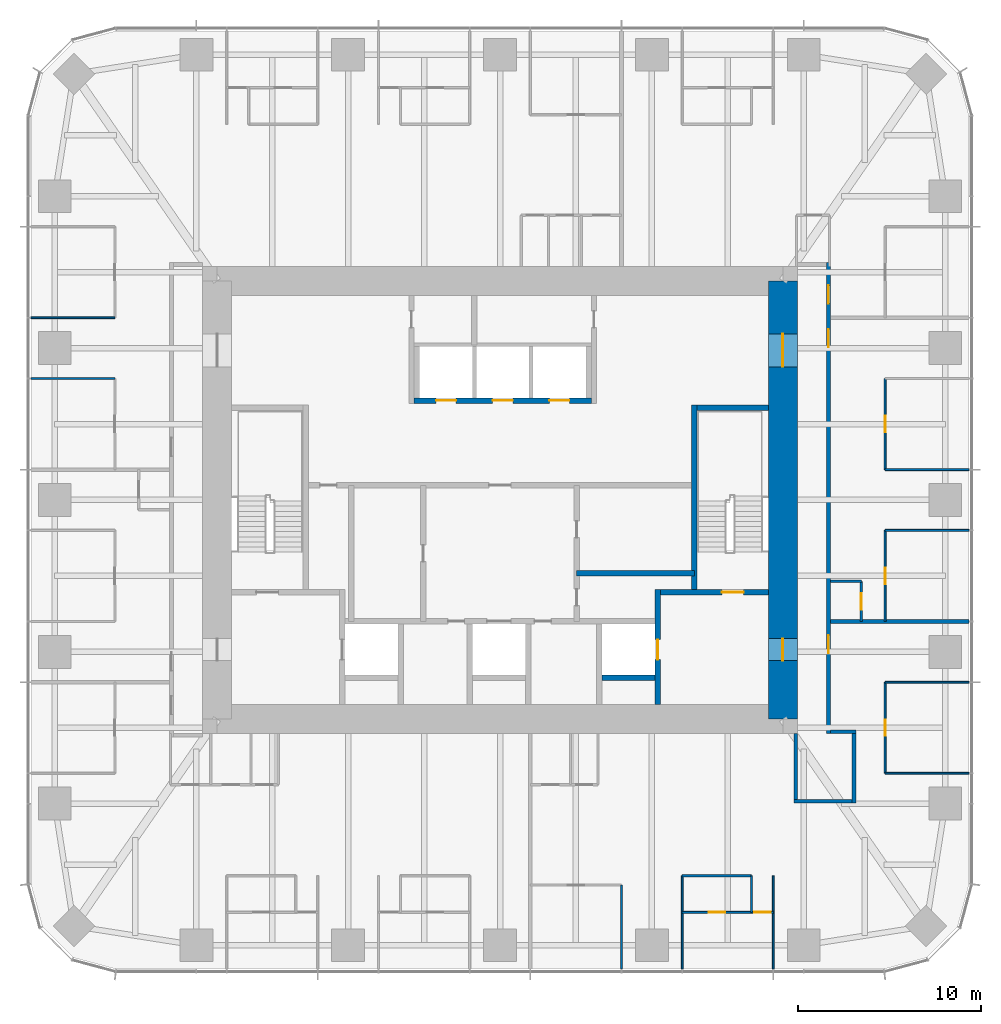
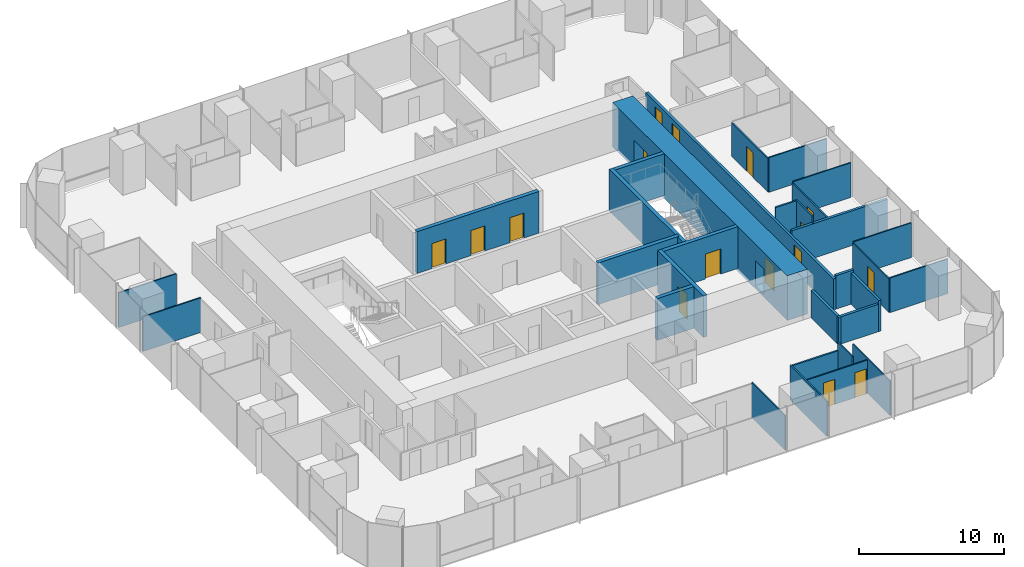
# One storey, part 10 of 13: 31 walls, 16 doors, 16 openings.
"""IFC4 building model written with IfcOpenShell, lengths in metres."""

from ifc_helpers import new_model, si_unit, direction, frame, frame_2d, origin, place, context, subcontext, project, spatial, rectangle, extrude, material, layer, layer_set, type_object, element, fill, save


model = new_model("IFC4")

# Units and contexts
model_context = context("Model", 3, precision=1e-05, world=origin(), true_north=direction((0.0, 1.0)))
body_context = subcontext(model_context, "Body", "Model", "MODEL_VIEW")
ifc_project = project(units=[si_unit("LENGTHUNIT", "METRE"), si_unit("AREAUNIT", "SQUARE_METRE"), si_unit("VOLUMEUNIT", "CUBIC_METRE"), si_unit("PLANEANGLEUNIT", "RADIAN"), si_unit("MASSUNIT", "GRAM", prefix="KILO")], contexts=[model_context])

# Site, building, storey
site_placement = place(None, origin())
site = spatial("IfcSite", under=ifc_project, at=site_placement, CompositionType="ELEMENT")
building_placement = place(site_placement, origin())
building = spatial("IfcBuilding", under=site, at=building_placement, Name="Khuree Lantern Residences", CompositionType="ELEMENT")
storey_placement = place(building_placement, frame((0.0, 0.0, 252.0)))
storey = spatial("IfcBuildingStorey", under=building, at=storey_placement, Name="L63", CompositionType="ELEMENT", Elevation=252.0)

# Wall, opening, door
ifc_material_1 = material(Name="Moisture-resistant gypsum board on steel studs", Category="steel")
ifc_layer_1 = layer(ifc_material_1, 0.125)
ifc_layer_set_1 = layer_set([ifc_layer_1], Name="BATHROOM WALL BTW125")
wall_type_1 = type_object("IfcWallType", Name="BATHROOM WALL BTW125", PredefinedType="PARTITIONING", material=ifc_layer_set_1)
wall_1_placement = place(storey_placement, frame((19.800048828125, -6.656005859375, 0.0), z_axis=(0.0, 0.0, 1.0), x_axis=(0.0, 1.0, 0.0)))
wall_1 = element("IfcWall", 1, at=wall_1_placement, inside=storey, type_object=wall_type_1, Name="L63 BATHROOM WALL 01", PredefinedType="PARTITIONING", context=body_context, shape_type="SweptSolid", body=[
    extrude(rectangle(XDim=2.199951171875, YDim=0.125, at=frame_2d((1.10009765625, 0.0))), origin(), (0.0, 0.0, 1.0), 3.5),
])
opening_1_placement = place(wall_1_placement, frame((0.64990234375, 0.0, 0.0)))
opening_1 = element("IfcOpeningElement", 2, at=opening_1_placement, cuts=wall_1, Name="Opening 63-024", PredefinedType="OPENING", context=body_context, shape_type="SweptSolid", body=[
    extrude(rectangle(XDim=0.89990234375, YDim=2.10009765625, at=frame_2d((0.449951171875, 1.050048828125))), frame((0.0, 0.072509765625, 0.0), z_axis=(0.0, -1.0, 0.0), x_axis=(1.0, 0.0, 0.0)), (0.0, 0.0, 1.0), 0.14501953125),
])
ifc_material_2 = material(Name="Timber door leaf in hardwood frame", Category="wood")
door_type_1 = type_object("IfcDoorType", Name="BATHROOM DOOR 900X2100", OperationType="SINGLE_SWING_LEFT", PredefinedType="DOOR", material=ifc_material_2)
door_1_placement = place(opening_1_placement, origin())
door_1 = element("IfcDoor", 3, at=door_1_placement, inside=storey, type_object=door_type_1, Name="Bathroom door 63-024", OperationType="SINGLE_SWING_LEFT", OverallHeight=2.10009765625, OverallWidth=0.89990234375, PredefinedType="DOOR", context=body_context, shape_type="SweptSolid", body=[
    extrude(rectangle(XDim=0.89990234375, YDim=2.10009765625, at=frame_2d((0.449951171875, 1.050048828125))), frame((0.0, 0.02490234375, 0.0), z_axis=(0.0, -1.0, 0.0), x_axis=(1.0, 0.0, 0.0)), (0.0, 0.0, 1.0), 0.050048828125),
])
fill(opening_1, door_1)

# Walls
wall_2_placement = place(storey_placement, frame((18.10009765625, -4.4560546875, 0.0), z_axis=(0.0, 0.0, 1.0), x_axis=(1.0, 0.0, 0.0)))
element("IfcWall", 4, at=wall_2_placement, inside=storey, type_object=wall_type_1, Name="L63 BATHROOM WALL 01", PredefinedType="PARTITIONING", context=body_context, shape_type="SweptSolid", body=[
    extrude(rectangle(XDim=1.699951171875, YDim=0.125, at=frame_2d((0.85009765625, 0.0))), origin(), (0.0, 0.0, 1.0), 3.5),
])
wall_3_placement = place(storey_placement, frame((9.98388671875, -20.594970703125, 0.0), z_axis=(0.0, 0.0, 1.0), x_axis=(1.0, 0.0, 0.0)))
element("IfcWall", 5, at=wall_3_placement, inside=storey, type_object=wall_type_1, Name="L63 BATHROOM WALL 06", PredefinedType="PARTITIONING", context=body_context, shape_type="SweptSolid", body=[
    extrude(rectangle(XDim=3.7919921875, YDim=0.125, at=frame_2d((1.89599609375, 0.0))), origin(), (0.0, 0.0, 1.0), 2.81005859375),
])

# Wall, opening, door
ifc_material_3 = material(Name="Dense concrete blockwork", Category="masonry")
ifc_layer_2 = layer(ifc_material_3, 0.300048828125)
ifc_layer_set_2 = layer_set([ifc_layer_2], Name="CORE PARTITION WALL CPW300 EI 120")
wall_type_2 = type_object("IfcWallType", Name="CORE PARTITION WALL CPW300 EI 120", PredefinedType="PARTITIONING", material=ifc_layer_set_2)
wall_4_placement = place(storey_placement, frame((8.64990234375, -11.199951171875, 0.0), z_axis=(0.0, 0.0, 1.0), x_axis=(0.0, 1.0, 0.0)))
wall_4 = element("IfcWall", 6, at=wall_4_placement, inside=storey, type_object=wall_type_2, Name="L63 CORE WALL FL2E", PredefinedType="PARTITIONING", context=body_context, shape_type="SweptSolid", body=[
    extrude(rectangle(XDim=6.300048828125, YDim=0.300048828125, at=frame_2d((3.14990234375, 0.0))), origin(), (0.0, 0.0, 1.0), 3.5),
])
opening_2_placement = place(wall_4_placement, frame((2.449951171875, 0.0, 0.0)))
opening_2 = element("IfcOpeningElement", 7, at=opening_2_placement, cuts=wall_4, Name="Opening 63-008", PredefinedType="OPENING", context=body_context, shape_type="SweptSolid", body=[
    extrude(rectangle(XDim=1.10009765625, YDim=2.10009765625, at=frame_2d((0.550048828125, 1.050048828125))), frame((0.0, 0.16015625, 0.0), z_axis=(0.0, -1.0, 0.0), x_axis=(1.0, 0.0, 0.0)), (0.0, 0.0, 1.0), 0.320068359375),
])
ifc_material_4 = material(Name="Stainless steel lift landing door", Category="steel")
door_type_2 = type_object("IfcDoorType", Name="LIFT LANDING DOOR 1100X2100 E 120", OperationType="DOUBLE_DOOR_SLIDING", PredefinedType="DOOR", material=ifc_material_4)
door_2_placement = place(opening_2_placement, origin())
door_2 = element("IfcDoor", 8, at=door_2_placement, inside=storey, type_object=door_type_2, Name="Landing door FL2 63-008", OperationType="DOUBLE_DOOR_SLIDING", OverallHeight=2.10009765625, OverallWidth=1.10009765625, PredefinedType="DOOR", context=body_context, shape_type="SweptSolid", body=[
    extrude(rectangle(XDim=1.10009765625, YDim=2.10009765625, at=frame_2d((0.550048828125, 1.050048828125))), frame((0.0, 0.02490234375, 0.0), z_axis=(0.0, -1.0, 0.0), x_axis=(1.0, 0.0, 0.0)), (0.0, 0.0, 1.0), 0.050048828125),
])
fill(opening_2, door_2)

# Wall
wall_5_placement = place(storey_placement, frame((5.60009765625, -9.75, 0.0), z_axis=(0.0, 0.0, 1.0), x_axis=(1.0, 0.0, 0.0)))
element("IfcWall", 9, at=wall_5_placement, inside=storey, type_object=wall_type_2, Name="L63 CORE WALL FL2S", PredefinedType="PARTITIONING", context=body_context, shape_type="SweptSolid", body=[
    extrude(rectangle(XDim=2.89990234375, YDim=0.300048828125, at=frame_2d((1.449951171875, 0.0))), origin(), (0.0, 0.0, 1.0), 3.5),
])

# Wall, openings, doors
wall_6_placement = place(storey_placement, frame((-4.699951171875, 5.449951171875, 0.0), z_axis=(0.0, 0.0, 1.0), x_axis=(1.0, 0.0, 0.0)))
wall_6 = element("IfcWall", 10, at=wall_6_placement, inside=storey, type_object=wall_type_2, Name="L63 CORE WALL PHS", PredefinedType="PARTITIONING", context=body_context, shape_type="SweptSolid", body=[
    extrude(rectangle(XDim=9.699951171875, YDim=0.300048828125, at=frame_2d((4.85009765625, 0.0))), origin(), (0.0, 0.0, 1.0), 3.5),
])
opening_3_placement = place(wall_6_placement, frame((1.199951171875, 0.0, 0.0)))
opening_3 = element("IfcOpeningElement", 11, at=opening_3_placement, cuts=wall_6, Name="Opening 63-009", PredefinedType="OPENING", context=body_context, shape_type="SweptSolid", body=[
    extrude(rectangle(XDim=1.10009765625, YDim=2.10009765625, at=frame_2d((0.550048828125, 1.050048828125))), frame((0.0, 0.16015625, 0.0), z_axis=(0.0, -1.0, 0.0), x_axis=(1.0, 0.0, 0.0)), (0.0, 0.0, 1.0), 0.320068359375),
])
opening_4_placement = place(wall_6_placement, frame((4.300048828125, 0.0, 0.0)))
opening_4 = element("IfcOpeningElement", 12, at=opening_4_placement, cuts=wall_6, Name="Opening 63-010", PredefinedType="OPENING", context=body_context, shape_type="SweptSolid", body=[
    extrude(rectangle(XDim=1.10009765625, YDim=2.10009765625, at=frame_2d((0.550048828125, 1.050048828125))), frame((0.0, 0.16015625, 0.0), z_axis=(0.0, -1.0, 0.0), x_axis=(1.0, 0.0, 0.0)), (0.0, 0.0, 1.0), 0.320068359375),
])
opening_5_placement = place(wall_6_placement, frame((7.39990234375, 0.0, 0.0)))
opening_5 = element("IfcOpeningElement", 13, at=opening_5_placement, cuts=wall_6, Name="Opening 63-011", PredefinedType="OPENING", context=body_context, shape_type="SweptSolid", body=[
    extrude(rectangle(XDim=1.10009765625, YDim=2.10009765625, at=frame_2d((0.550048828125, 1.050048828125))), frame((0.0, 0.16015625, 0.0), z_axis=(0.0, -1.0, 0.0), x_axis=(1.0, 0.0, 0.0)), (0.0, 0.0, 1.0), 0.320068359375),
])
door_type_3 = type_object("IfcDoorType", Name="LIFT LANDING DOOR 1100X2100 E 60", OperationType="DOUBLE_DOOR_SLIDING", PredefinedType="DOOR", material=ifc_material_4)
door_3_placement = place(opening_3_placement, origin())
door_3 = element("IfcDoor", 14, at=door_3_placement, inside=storey, type_object=door_type_3, Name="Landing door PH1 63-009", OperationType="DOUBLE_DOOR_SLIDING", OverallHeight=2.10009765625, OverallWidth=1.10009765625, PredefinedType="DOOR", context=body_context, shape_type="SweptSolid", body=[
    extrude(rectangle(XDim=1.10009765625, YDim=2.10009765625, at=frame_2d((0.550048828125, 1.050048828125))), frame((0.0, 0.02490234375, 0.0), z_axis=(0.0, -1.0, 0.0), x_axis=(1.0, 0.0, 0.0)), (0.0, 0.0, 1.0), 0.050048828125),
])
fill(opening_3, door_3)
door_4_placement = place(opening_4_placement, origin())
door_4 = element("IfcDoor", 15, at=door_4_placement, inside=storey, type_object=door_type_3, Name="Landing door PH2 63-010", OperationType="DOUBLE_DOOR_SLIDING", OverallHeight=2.10009765625, OverallWidth=1.10009765625, PredefinedType="DOOR", context=body_context, shape_type="SweptSolid", body=[
    extrude(rectangle(XDim=1.10009765625, YDim=2.10009765625, at=frame_2d((0.550048828125, 1.050048828125))), frame((0.0, 0.02490234375, 0.0), z_axis=(0.0, -1.0, 0.0), x_axis=(1.0, 0.0, 0.0)), (0.0, 0.0, 1.0), 0.050048828125),
])
fill(opening_4, door_4)
door_5_placement = place(opening_5_placement, origin())
door_5 = element("IfcDoor", 16, at=door_5_placement, inside=storey, type_object=door_type_3, Name="Landing door PH3 63-011", OperationType="DOUBLE_DOOR_SLIDING", OverallHeight=2.10009765625, OverallWidth=1.10009765625, PredefinedType="DOOR", context=body_context, shape_type="SweptSolid", body=[
    extrude(rectangle(XDim=1.10009765625, YDim=2.10009765625, at=frame_2d((0.550048828125, 1.050048828125))), frame((0.0, 0.02490234375, 0.0), z_axis=(0.0, -1.0, 0.0), x_axis=(1.0, 0.0, 0.0)), (0.0, 0.0, 1.0), 0.050048828125),
])
fill(opening_5, door_5)

# Walls
wall_7_placement = place(storey_placement, frame((10.64990234375, -4.01806640625, 0.0), z_axis=(0.0, 0.0, 1.0), x_axis=(-1.0, 0.0, 0.0)))
element("IfcWall", 17, at=wall_7_placement, inside=storey, type_object=wall_type_2, Name="L63 CORE WALL EX", PredefinedType="PARTITIONING", context=body_context, shape_type="SweptSolid", body=[
    extrude(rectangle(XDim=6.449951171875, YDim=0.300048828125, at=frame_2d((3.22509765625, 0.0))), origin(), (0.0, 0.0, 1.0), 3.5),
])
ifc_material_5 = material(Name="Gypsum board on steel studs", Category="steel")
ifc_layer_3 = layer(ifc_material_5, 0.199951171875)
ifc_layer_set_3 = layer_set([ifc_layer_3], Name="CORRIDOR WALL CRW200 EI 60")
wall_type_3 = type_object("IfcWallType", Name="CORRIDOR WALL CRW200 EI 60", PredefinedType="PARTITIONING", material=ifc_layer_set_3)
wall_8_placement = place(storey_placement, frame((18.10009765625, -12.699951171875, 0.0), z_axis=(0.0, 0.0, 1.0), x_axis=(1.0, 0.0, 0.0)))
element("IfcWall", 18, at=wall_8_placement, inside=storey, type_object=wall_type_3, Name="L63 RESIDENTS LOUNGE WALL", PredefinedType="PARTITIONING", context=body_context, shape_type="SweptSolid", body=[
    extrude(rectangle(XDim=1.39990234375, YDim=0.199951171875, at=frame_2d((0.699951171875, 0.0))), origin(), (0.0, 0.0, 1.0), 2.81005859375),
])
wall_9_placement = place(storey_placement, frame((19.39990234375, -12.60009765625, 0.0), z_axis=(0.0, 0.0, 1.0), x_axis=(0.0, -1.0, 0.0)))
element("IfcWall", 19, at=wall_9_placement, inside=storey, type_object=wall_type_3, Name="L63 RESIDENTS LOUNGE WALL", PredefinedType="PARTITIONING", context=body_context, shape_type="SweptSolid", body=[
    extrude(rectangle(XDim=4.0, YDim=0.199951171875, at=frame_2d((2.0, 0.0))), origin(), (0.0, 0.0, 1.0), 2.60009765625),
])
wall_10_placement = place(storey_placement, frame((19.300048828125, -16.5, 0.0), z_axis=(0.0, 0.0, 1.0), x_axis=(-1.0, 0.0, 0.0)))
element("IfcWall", 20, at=wall_10_placement, inside=storey, type_object=wall_type_3, Name="L63 RESIDENTS LOUNGE WALL", PredefinedType="PARTITIONING", context=body_context, shape_type="SweptSolid", body=[
    extrude(rectangle(XDim=3.199951171875, YDim=0.199951171875, at=frame_2d((1.60009765625, 0.0))), origin(), (0.0, 0.0, 1.0), 2.300048828125),
])
wall_11_placement = place(storey_placement, frame((16.199951171875, -16.60009765625, 0.0), z_axis=(0.0, 0.0, 1.0), x_axis=(0.0, 1.0, 0.0)))
element("IfcWall", 21, at=wall_11_placement, inside=storey, type_object=wall_type_3, Name="L63 RESIDENTS LOUNGE WALL", PredefinedType="PARTITIONING", context=body_context, shape_type="SweptSolid", body=[
    extrude(rectangle(XDim=3.800048828125, YDim=0.199951171875, at=frame_2d((1.89990234375, 0.0))), origin(), (0.0, 0.0, 1.0), 2.300048828125),
])

# Wall, openings, doors
wall_12_placement = place(storey_placement, frame((18.0, -12.800048828125, 0.0), z_axis=(0.0, 0.0, 1.0), x_axis=(0.0, 1.0, 0.0)))
wall_12 = element("IfcWall", 22, at=wall_12_placement, inside=storey, type_object=wall_type_3, Name="L63 CORRIDOR WALL EAST 1", PredefinedType="PARTITIONING", context=body_context, shape_type="SweptSolid", body=[
    extrude(rectangle(XDim=25.800048828125, YDim=0.199951171875, at=frame_2d((12.89990234375, 0.0))), origin(), (0.0, 0.0, 1.0), 2.60009765625),
])
opening_6_placement = place(wall_12_placement, frame((21.1640625, 0.0, 0.0)))
opening_6 = element("IfcOpeningElement", 23, at=opening_6_placement, cuts=wall_12, Name="Opening 63-025", PredefinedType="OPENING", context=body_context, shape_type="SweptSolid", body=[
    extrude(rectangle(XDim=1.0, YDim=2.199951171875, at=frame_2d((0.5, 1.10009765625))), frame((0.0, 0.10986328125, 0.0), z_axis=(0.0, -1.0, 0.0), x_axis=(1.0, 0.0, 0.0)), (0.0, 0.0, 1.0), 0.219970703125),
])
opening_7_placement = place(wall_12_placement, frame((23.553955078125, 0.0, 0.0)))
opening_7 = element("IfcOpeningElement", 24, at=opening_7_placement, cuts=wall_12, Name="Opening 63-030", PredefinedType="OPENING", context=body_context, shape_type="SweptSolid", body=[
    extrude(rectangle(XDim=1.0, YDim=2.199951171875, at=frame_2d((0.5, 1.10009765625))), frame((0.0, 0.10986328125, 0.0), z_axis=(0.0, -1.0, 0.0), x_axis=(1.0, 0.0, 0.0)), (0.0, 0.0, 1.0), 0.219970703125),
])
opening_8_placement = place(wall_12_placement, frame((4.39990234375, 0.0, 0.0)))
opening_8 = element("IfcOpeningElement", 25, at=opening_8_placement, cuts=wall_12, Name="Opening 63-060", PredefinedType="OPENING", context=body_context, shape_type="SweptSolid", body=[
    extrude(rectangle(XDim=1.0, YDim=2.199951171875, at=frame_2d((0.5, 1.10009765625))), frame((0.0, 0.10986328125, 0.0), z_axis=(0.0, -1.0, 0.0), x_axis=(1.0, 0.0, 0.0)), (0.0, 0.0, 1.0), 0.219970703125),
])
door_type_4 = type_object("IfcDoorType", Name="APARTMENT ENTRANCE DOOR 1000X2200 EI 30S", OperationType="SINGLE_SWING_LEFT", PredefinedType="DOOR", material=ifc_material_2)
door_6_placement = place(opening_8_placement, origin())
door_6 = element("IfcDoor", 26, at=door_6_placement, inside=storey, type_object=door_type_4, Name="Apartment 06 entrance door 63-060", OperationType="SINGLE_SWING_LEFT", OverallHeight=2.199951171875, OverallWidth=1.0, PredefinedType="DOOR", context=body_context, shape_type="SweptSolid", body=[
    extrude(rectangle(XDim=1.0, YDim=2.199951171875, at=frame_2d((0.5, 1.10009765625))), frame((0.0, 0.02490234375, 0.0), z_axis=(0.0, -1.0, 0.0), x_axis=(1.0, 0.0, 0.0)), (0.0, 0.0, 1.0), 0.050048828125),
])
fill(opening_8, door_6)
door_type_5 = type_object("IfcDoorType", Name="APARTMENT ENTRANCE DOOR 1000X2200 EI 30S RIGHT HAND", OperationType="SINGLE_SWING_RIGHT", PredefinedType="DOOR", material=ifc_material_2)
door_7_placement = place(opening_6_placement, origin())
door_7 = element("IfcDoor", 27, at=door_7_placement, inside=storey, type_object=door_type_5, Name="Apartment 01 entrance door 63-025", OperationType="SINGLE_SWING_RIGHT", OverallHeight=2.199951171875, OverallWidth=1.0, PredefinedType="DOOR", context=body_context, shape_type="SweptSolid", body=[
    extrude(rectangle(XDim=1.0, YDim=2.199951171875, at=frame_2d((0.5, 1.10009765625))), frame((0.0, 0.02490234375, 0.0), z_axis=(0.0, -1.0, 0.0), x_axis=(1.0, 0.0, 0.0)), (0.0, 0.0, 1.0), 0.050048828125),
])
fill(opening_6, door_7)
door_8_placement = place(opening_7_placement, origin())
door_8 = element("IfcDoor", 28, at=door_8_placement, inside=storey, type_object=door_type_5, Name="Apartment 02 entrance door 63-030", OperationType="SINGLE_SWING_RIGHT", OverallHeight=2.199951171875, OverallWidth=1.0, PredefinedType="DOOR", context=body_context, shape_type="SweptSolid", body=[
    extrude(rectangle(XDim=1.0, YDim=2.199951171875, at=frame_2d((0.5, 1.10009765625))), frame((0.0, 0.02490234375, 0.0), z_axis=(0.0, -1.0, 0.0), x_axis=(1.0, 0.0, 0.0)), (0.0, 0.0, 1.0), 0.050048828125),
])
fill(opening_7, door_8)

ifc_material_6 = material(Name="Concrete C50/60", Category="concrete")
ifc_layer_4 = layer(ifc_material_6, 1.60009765625)
ifc_layer_set_4 = layer_set([ifc_layer_4], Name="CW1600-C50 CORE WALL C50 1600")
wall_type_4 = type_object("IfcWallType", Name="CW1600-C50 CORE WALL C50 1600", PredefinedType="SHEAR", material=ifc_layer_set_4)
wall_13_placement = place(storey_placement, frame((15.5, -12.0, -0.25), z_axis=(0.0, 0.0, 1.0), x_axis=(0.0, 1.0, 0.0)))
wall_13 = element("IfcWall", 29, at=wall_13_placement, inside=storey, type_object=wall_type_4, Name="Core wall E", PredefinedType="SHEAR", context=body_context, shape_type="SweptSolid", body=[
    extrude(rectangle(XDim=24.0, YDim=1.60009765625, at=frame_2d((12.0, 0.0))), origin(), (0.0, 0.0, 1.0), 3.75),
])
opening_9_placement = place(wall_13_placement, frame((3.199951171875, 0.0, 0.25)))
opening_9 = element("IfcOpeningElement", 30, at=opening_9_placement, cuts=wall_13, Name="Opening 63-005", PredefinedType="OPENING", context=body_context, shape_type="SweptSolid", body=[
    extrude(rectangle(XDim=1.199951171875, YDim=2.10009765625, at=frame_2d((0.60009765625, 1.050048828125))), frame((0.0, 0.81005859375, 0.0), z_axis=(0.0, -1.0, 0.0), x_axis=(1.0, 0.0, 0.0)), (0.0, 0.0, 1.0), 1.6201171875),
])
opening_10_placement = place(wall_13_placement, frame((19.300048828125, 0.0, 0.25)))
opening_10 = element("IfcOpeningElement", 31, at=opening_10_placement, cuts=wall_13, Name="Opening 63-006", PredefinedType="OPENING", context=body_context, shape_type="SweptSolid", body=[
    extrude(rectangle(XDim=1.800048828125, YDim=2.10009765625, at=frame_2d((0.89990234375, 1.050048828125))), frame((0.0, 0.81005859375, 0.0), z_axis=(0.0, -1.0, 0.0), x_axis=(1.0, 0.0, 0.0)), (0.0, 0.0, 1.0), 1.6201171875),
])
ifc_material_7 = material(Name="Steel door leaf in steel frame", Category="steel")
door_type_6 = type_object("IfcDoorType", Name="LOBBY DOOR 1200X2100 EI 120", OperationType="SINGLE_SWING_LEFT", PredefinedType="DOOR", material=ifc_material_7)
door_9_placement = place(opening_9_placement, origin())
door_9 = element("IfcDoor", 32, at=door_9_placement, inside=storey, type_object=door_type_6, Name="Firefighting lobby door 63-005", OperationType="SINGLE_SWING_LEFT", OverallHeight=2.10009765625, OverallWidth=1.199951171875, PredefinedType="DOOR", context=body_context, shape_type="SweptSolid", body=[
    extrude(rectangle(XDim=1.199951171875, YDim=2.10009765625, at=frame_2d((0.60009765625, 1.050048828125))), frame((0.0, 0.02490234375, 0.0), z_axis=(0.0, -1.0, 0.0), x_axis=(1.0, 0.0, 0.0)), (0.0, 0.0, 1.0), 0.050048828125),
])
fill(opening_9, door_9)
door_type_7 = type_object("IfcDoorType", Name="LOBBY DOUBLE DOOR 1800X2100 EI 60", OperationType="DOUBLE_DOOR_SINGLE_SWING", PredefinedType="DOOR", material=ifc_material_7)
door_10_placement = place(opening_10_placement, origin())
door_10 = element("IfcDoor", 33, at=door_10_placement, inside=storey, type_object=door_type_7, Name="Lift lobby door 63-006", OperationType="DOUBLE_DOOR_SINGLE_SWING", OverallHeight=2.10009765625, OverallWidth=1.800048828125, PredefinedType="DOOR", context=body_context, shape_type="SweptSolid", body=[
    extrude(rectangle(XDim=1.800048828125, YDim=2.10009765625, at=frame_2d((0.89990234375, 1.050048828125))), frame((0.0, 0.02490234375, 0.0), z_axis=(0.0, -1.0, 0.0), x_axis=(1.0, 0.0, 0.0)), (0.0, 0.0, 1.0), 0.050048828125),
])
fill(opening_10, door_10)

# Walls
ifc_layer_5 = layer(ifc_material_5, 0.199951171875)
ifc_layer_set_5 = layer_set([ifc_layer_5], Name="DEMISING WALL DMW200 EI 90")
wall_type_5 = type_object("IfcWallType", Name="DEMISING WALL DMW200 EI 90", PredefinedType="PARTITIONING", material=ifc_layer_set_5)
wall_14_placement = place(storey_placement, frame((18.10009765625, -6.656005859375, 0.0), z_axis=(0.0, 0.0, 1.0), x_axis=(1.0, 0.0, 0.0)))
element("IfcWall", 34, at=wall_14_placement, inside=storey, type_object=wall_type_5, Name="L63 DEMISING WALL 01", PredefinedType="PARTITIONING", context=body_context, shape_type="SweptSolid", body=[
    extrude(rectangle(XDim=7.599853515625, YDim=0.199951171875, at=frame_2d((3.7998046875, 0.0))), origin(), (0.0, 0.0, 1.0), 2.909912109375),
])
ifc_layer_6 = layer(ifc_material_5, 0.10009765625)
ifc_layer_set_6 = layer_set([ifc_layer_6], Name="PARTITION PT100")
wall_type_6 = type_object("IfcWallType", Name="PARTITION PT100", PredefinedType="PARTITIONING", material=ifc_layer_set_6)
for number, where, z_axis, x_axis, name in (
    (35, (21.10009765625, -1.6640625, 0.0), (0.0, 0.0, 1.0), (1.0, 0.0, 0.0), "L63 PARTITION 01"),
    (36, (21.10009765625, 1.6640625, 0.0), (0.0, 0.0, 1.0), (1.0, 0.0, 0.0), "L63 PARTITION 01"),
    (37, (-21.10009765625, 9.98388671875, 0.0), (0.0, 0.0, 1.0), (-1.0, 0.0, 0.0), "L63 PARTITION 03"),
    (38, (-21.10009765625, 6.656005859375, 0.0), (0.0, 0.0, 1.0), (-1.0, 0.0, 0.0), "L63 PARTITION 03"),
    (39, (6.656005859375, -21.10009765625, 0.0), (0.0, 0.0, 1.0), (0.0, -1.0, 0.0), "L63 PARTITION 06"),
):
    element("IfcWall", number, at=place(storey_placement, frame(where, z_axis=z_axis, x_axis=x_axis)), inside=storey, type_object=wall_type_6, Name=name, PredefinedType="PARTITIONING", context=body_context, shape_type="SweptSolid", body=[
        extrude(rectangle(XDim=4.599853515625, YDim=0.10009765625, at=frame_2d((2.2998046875, 0.0))), origin(), (0.0, 0.0, 1.0), 2.909912109375),
    ])
for number, where, z_axis, x_axis, name in (
    (40, (9.98388671875, -20.594970703125, 0.0), (0.0, 0.0, 1.0), (0.0, -1.0, 0.0), "L63 PARTITION 06"),
    (41, (14.97607421875, -20.594970703125, 0.0), (0.0, 0.0, 1.0), (0.0, -1.0, 0.0), "L63 PARTITION 06"),
):
    element("IfcWall", number, at=place(storey_placement, frame(where, z_axis=z_axis, x_axis=x_axis)), inside=storey, type_object=wall_type_6, Name=name, PredefinedType="PARTITIONING", context=body_context, shape_type="SweptSolid", body=[
        extrude(rectangle(XDim=5.10498046875, YDim=0.10009765625, at=frame_2d((2.552490234375, 0.0))), origin(), (0.0, 0.0, 1.0), 2.909912109375),
    ])
for number, where, z_axis, x_axis, name in (
    (42, (21.10009765625, -14.97607421875, 0.0), (0.0, 0.0, 1.0), (1.0, 0.0, 0.0), "L63 PARTITION 06"),
    (43, (21.10009765625, -9.98388671875, 0.0), (0.0, 0.0, 1.0), (1.0, 0.0, 0.0), "L63 PARTITION 06"),
):
    element("IfcWall", number, at=place(storey_placement, frame(where, z_axis=z_axis, x_axis=x_axis)), inside=storey, type_object=wall_type_6, Name=name, PredefinedType="PARTITIONING", context=body_context, shape_type="SweptSolid", body=[
        extrude(rectangle(XDim=4.599853515625, YDim=0.10009765625, at=frame_2d((2.2998046875, 0.0))), origin(), (0.0, 0.0, 1.0), 2.909912109375),
    ])

# Wall, opening, door
wall_15_placement = place(storey_placement, frame((21.10009765625, -6.656005859375, 0.0), z_axis=(0.0, 0.0, 1.0), x_axis=(0.0, 1.0, 0.0)))
wall_15 = element("IfcWall", 44, at=wall_15_placement, inside=storey, type_object=wall_type_6, Name="L63 PARTITION 01", PredefinedType="PARTITIONING", context=body_context, shape_type="SweptSolid", body=[
    extrude(rectangle(XDim=4.991943359375, YDim=0.10009765625, at=frame_2d((2.49609375, 0.0))), origin(), (0.0, 0.0, 1.0), 2.81005859375),
])
opening_11_placement = place(wall_15_placement, frame((2.0458984375, 0.0, 0.0)))
opening_11 = element("IfcOpeningElement", 45, at=opening_11_placement, cuts=wall_15, Name="Opening 63-022", PredefinedType="OPENING", context=body_context, shape_type="SweptSolid", body=[
    extrude(rectangle(XDim=0.89990234375, YDim=2.10009765625, at=frame_2d((0.449951171875, 1.050048828125))), frame((0.0, 0.06005859375, 0.0), z_axis=(0.0, -1.0, 0.0), x_axis=(1.0, 0.0, 0.0)), (0.0, 0.0, 1.0), 0.1201171875),
])
door_type_8 = type_object("IfcDoorType", Name="BEDROOM DOOR 900X2100", OperationType="SINGLE_SWING_LEFT", PredefinedType="DOOR", material=ifc_material_2)
door_11_placement = place(opening_11_placement, origin())
door_11 = element("IfcDoor", 46, at=door_11_placement, inside=storey, type_object=door_type_8, Name="Bedroom door 63-022", OperationType="SINGLE_SWING_LEFT", OverallHeight=2.10009765625, OverallWidth=0.89990234375, PredefinedType="DOOR", context=body_context, shape_type="SweptSolid", body=[
    extrude(rectangle(XDim=0.89990234375, YDim=2.10009765625, at=frame_2d((0.449951171875, 1.050048828125))), frame((0.0, 0.02490234375, 0.0), z_axis=(0.0, -1.0, 0.0), x_axis=(1.0, 0.0, 0.0)), (0.0, 0.0, 1.0), 0.050048828125),
])
fill(opening_11, door_11)

wall_16_placement = place(storey_placement, frame((21.10009765625, 1.6640625, 0.0), z_axis=(0.0, 0.0, 1.0), x_axis=(0.0, 1.0, 0.0)))
wall_16 = element("IfcWall", 47, at=wall_16_placement, inside=storey, type_object=wall_type_6, Name="L63 PARTITION 01", PredefinedType="PARTITIONING", context=body_context, shape_type="SweptSolid", body=[
    extrude(rectangle(XDim=4.991943359375, YDim=0.10009765625, at=frame_2d((2.49609375, 0.0))), origin(), (0.0, 0.0, 1.0), 2.81005859375),
])
opening_12_placement = place(wall_16_placement, frame((2.0458984375, 0.0, 0.0)))
opening_12 = element("IfcOpeningElement", 48, at=opening_12_placement, cuts=wall_16, Name="Opening 63-023", PredefinedType="OPENING", context=body_context, shape_type="SweptSolid", body=[
    extrude(rectangle(XDim=0.89990234375, YDim=2.10009765625, at=frame_2d((0.449951171875, 1.050048828125))), frame((0.0, 0.06005859375, 0.0), z_axis=(0.0, -1.0, 0.0), x_axis=(1.0, 0.0, 0.0)), (0.0, 0.0, 1.0), 0.1201171875),
])
door_12_placement = place(opening_12_placement, origin())
door_12 = element("IfcDoor", 49, at=door_12_placement, inside=storey, type_object=door_type_8, Name="Bedroom door 63-023", OperationType="SINGLE_SWING_LEFT", OverallHeight=2.10009765625, OverallWidth=0.89990234375, PredefinedType="DOOR", context=body_context, shape_type="SweptSolid", body=[
    extrude(rectangle(XDim=0.89990234375, YDim=2.10009765625, at=frame_2d((0.449951171875, 1.050048828125))), frame((0.0, 0.02490234375, 0.0), z_axis=(0.0, -1.0, 0.0), x_axis=(1.0, 0.0, 0.0)), (0.0, 0.0, 1.0), 0.050048828125),
])
fill(opening_12, door_12)

# Wall, openings, doors
wall_17_placement = place(storey_placement, frame((9.98388671875, -22.594970703125, 0.0), z_axis=(0.0, 0.0, 1.0), x_axis=(1.0, 0.0, 0.0)))
wall_17 = element("IfcWall", 50, at=wall_17_placement, inside=storey, type_object=wall_type_6, Name="L63 PARTITION 06", PredefinedType="PARTITIONING", context=body_context, shape_type="SweptSolid", body=[
    extrude(rectangle(XDim=4.9921875, YDim=0.10009765625, at=frame_2d((2.49609375, 0.0))), origin(), (0.0, 0.0, 1.0), 2.81005859375),
])
opening_13_placement = place(wall_17_placement, frame((3.94189453125, 0.0, 0.0)))
opening_13 = element("IfcOpeningElement", 51, at=opening_13_placement, cuts=wall_17, Name="Opening 63-055", PredefinedType="OPENING", context=body_context, shape_type="SweptSolid", body=[
    extrude(rectangle(XDim=0.89990234375, YDim=2.10009765625, at=frame_2d((0.449951171875, 1.050048828125))), frame((0.0, 0.06005859375, 0.0), z_axis=(0.0, -1.0, 0.0), x_axis=(1.0, 0.0, 0.0)), (0.0, 0.0, 1.0), 0.1201171875),
])
opening_14_placement = place(wall_17_placement, frame((1.446044921875, 0.0, 0.0)))
opening_14 = element("IfcOpeningElement", 52, at=opening_14_placement, cuts=wall_17, Name="Opening 63-056", PredefinedType="OPENING", context=body_context, shape_type="SweptSolid", body=[
    extrude(rectangle(XDim=0.89990234375, YDim=2.10009765625, at=frame_2d((0.449951171875, 1.050048828125))), frame((0.0, 0.06005859375, 0.0), z_axis=(0.0, -1.0, 0.0), x_axis=(1.0, 0.0, 0.0)), (0.0, 0.0, 1.0), 0.1201171875),
])
door_13_placement = place(opening_14_placement, origin())
door_13 = element("IfcDoor", 53, at=door_13_placement, inside=storey, type_object=door_type_1, Name="Bathroom door 63-056", OperationType="SINGLE_SWING_LEFT", OverallHeight=2.10009765625, OverallWidth=0.89990234375, PredefinedType="DOOR", context=body_context, shape_type="SweptSolid", body=[
    extrude(rectangle(XDim=0.89990234375, YDim=2.10009765625, at=frame_2d((0.449951171875, 1.050048828125))), frame((0.0, 0.02490234375, 0.0), z_axis=(0.0, -1.0, 0.0), x_axis=(1.0, 0.0, 0.0)), (0.0, 0.0, 1.0), 0.050048828125),
])
fill(opening_14, door_13)
door_14_placement = place(opening_13_placement, origin())
door_14 = element("IfcDoor", 54, at=door_14_placement, inside=storey, type_object=door_type_8, Name="Bedroom door 63-055", OperationType="SINGLE_SWING_LEFT", OverallHeight=2.10009765625, OverallWidth=0.89990234375, PredefinedType="DOOR", context=body_context, shape_type="SweptSolid", body=[
    extrude(rectangle(XDim=0.89990234375, YDim=2.10009765625, at=frame_2d((0.449951171875, 1.050048828125))), frame((0.0, 0.02490234375, 0.0), z_axis=(0.0, -1.0, 0.0), x_axis=(1.0, 0.0, 0.0)), (0.0, 0.0, 1.0), 0.050048828125),
])
fill(opening_13, door_14)

# Wall
wall_18_placement = place(storey_placement, frame((13.77587890625, -20.594970703125, 0.0), z_axis=(0.0, 0.0, 1.0), x_axis=(0.0, -1.0, 0.0)))
element("IfcWall", 55, at=wall_18_placement, inside=storey, type_object=wall_type_6, Name="L63 PARTITION 06", PredefinedType="PARTITIONING", context=body_context, shape_type="SweptSolid", body=[
    extrude(rectangle(XDim=2.0, YDim=0.10009765625, at=frame_2d((1.0, 0.0))), origin(), (0.0, 0.0, 1.0), 3.5),
])

# Wall, opening, door
wall_19_placement = place(storey_placement, frame((21.10009765625, -14.97607421875, 0.0), z_axis=(0.0, 0.0, 1.0), x_axis=(0.0, 1.0, 0.0)))
wall_19 = element("IfcWall", 56, at=wall_19_placement, inside=storey, type_object=wall_type_6, Name="L63 PARTITION 06", PredefinedType="PARTITIONING", context=body_context, shape_type="SweptSolid", body=[
    extrude(rectangle(XDim=4.9921875, YDim=0.10009765625, at=frame_2d((2.49609375, 0.0))), origin(), (0.0, 0.0, 1.0), 2.81005859375),
])
opening_15_placement = place(wall_19_placement, frame((2.0458984375, 0.0, 0.0)))
opening_15 = element("IfcOpeningElement", 57, at=opening_15_placement, cuts=wall_19, Name="Opening 63-057", PredefinedType="OPENING", context=body_context, shape_type="SweptSolid", body=[
    extrude(rectangle(XDim=0.89990234375, YDim=2.10009765625, at=frame_2d((0.449951171875, 1.050048828125))), frame((0.0, 0.06005859375, 0.0), z_axis=(0.0, -1.0, 0.0), x_axis=(1.0, 0.0, 0.0)), (0.0, 0.0, 1.0), 0.1201171875),
])
door_15_placement = place(opening_15_placement, origin())
door_15 = element("IfcDoor", 58, at=door_15_placement, inside=storey, type_object=door_type_8, Name="Bedroom door 63-057", OperationType="SINGLE_SWING_LEFT", OverallHeight=2.10009765625, OverallWidth=0.89990234375, PredefinedType="DOOR", context=body_context, shape_type="SweptSolid", body=[
    extrude(rectangle(XDim=0.89990234375, YDim=2.10009765625, at=frame_2d((0.449951171875, 1.050048828125))), frame((0.0, 0.02490234375, 0.0), z_axis=(0.0, -1.0, 0.0), x_axis=(1.0, 0.0, 0.0)), (0.0, 0.0, 1.0), 0.050048828125),
])
fill(opening_15, door_15)

# Wall
ifc_layer_7 = layer(ifc_material_6, 0.300048828125)
ifc_layer_set_7 = layer_set([ifc_layer_7], Name="STAIR WALL SRW300 C50/60 REI 240")
wall_type_7 = type_object("IfcWallType", Name="STAIR WALL SRW300 C50/60 REI 240", PredefinedType="SOLIDWALL", material=ifc_layer_set_7)
wall_20_placement = place(storey_placement, frame((10.64990234375, -4.89990234375, 0.0), z_axis=(0.0, 0.0, 1.0), x_axis=(0.0, 1.0, 0.0)))
element("IfcWall", 59, at=wall_20_placement, inside=storey, type_object=wall_type_7, Name="L63 STAIR WALL ST2E", PredefinedType="SOLIDWALL", context=body_context, shape_type="SweptSolid", body=[
    extrude(rectangle(XDim=10.099853515625, YDim=0.300048828125, at=frame_2d((5.0498046875, 0.0))), origin(), (0.0, 0.0, 1.0), 3.5),
])

# Wall, opening, door
wall_21_placement = place(storey_placement, frame((14.699951171875, -5.050048828125, 0.0), z_axis=(0.0, 0.0, 1.0), x_axis=(-1.0, 0.0, 0.0)))
wall_21 = element("IfcWall", 60, at=wall_21_placement, inside=storey, type_object=wall_type_7, Name="L63 STAIR WALL ST2S", PredefinedType="SOLIDWALL", context=body_context, shape_type="SweptSolid", body=[
    extrude(rectangle(XDim=5.89990234375, YDim=0.300048828125, at=frame_2d((2.949951171875, 0.0))), origin(), (0.0, 0.0, 1.0), 3.5),
])
opening_16_placement = place(wall_21_placement, frame((1.35009765625, 0.0, 0.0)))
opening_16 = element("IfcOpeningElement", 61, at=opening_16_placement, cuts=wall_21, Name="Opening 63-004", PredefinedType="OPENING", context=body_context, shape_type="SweptSolid", body=[
    extrude(rectangle(XDim=1.199951171875, YDim=2.10009765625, at=frame_2d((0.60009765625, 1.050048828125))), frame((0.0, 0.16015625, 0.0), z_axis=(0.0, -1.0, 0.0), x_axis=(1.0, 0.0, 0.0)), (0.0, 0.0, 1.0), 0.320068359375),
])
door_type_9 = type_object("IfcDoorType", Name="STAIR DOOR 1200X2100 EI 120", OperationType="SINGLE_SWING_LEFT", PredefinedType="DOOR", material=ifc_material_7)
door_16_placement = place(opening_16_placement, origin())
door_16 = element("IfcDoor", 62, at=door_16_placement, inside=storey, type_object=door_type_9, Name="Stair ST2 door 63-004", OperationType="SINGLE_SWING_LEFT", OverallHeight=2.10009765625, OverallWidth=1.199951171875, PredefinedType="DOOR", context=body_context, shape_type="SweptSolid", body=[
    extrude(rectangle(XDim=1.199951171875, YDim=2.10009765625, at=frame_2d((0.60009765625, 1.050048828125))), frame((0.0, 0.02490234375, 0.0), z_axis=(0.0, -1.0, 0.0), x_axis=(1.0, 0.0, 0.0)), (0.0, 0.0, 1.0), 0.050048828125),
])
fill(opening_16, door_16)

# Wall
wall_22_placement = place(storey_placement, frame((14.699951171875, 5.050048828125, 0.0), z_axis=(0.0, 0.0, 1.0), x_axis=(-1.0, 0.0, 0.0)))
element("IfcWall", 63, at=wall_22_placement, inside=storey, type_object=wall_type_7, Name="L63 STAIR WALL ST2N", PredefinedType="SOLIDWALL", context=body_context, shape_type="SweptSolid", body=[
    extrude(rectangle(XDim=3.89990234375, YDim=0.300048828125, at=frame_2d((1.949951171875, 0.0))), origin(), (0.0, 0.0, 1.0), 3.5),
])

save(model, "model.ifc")
